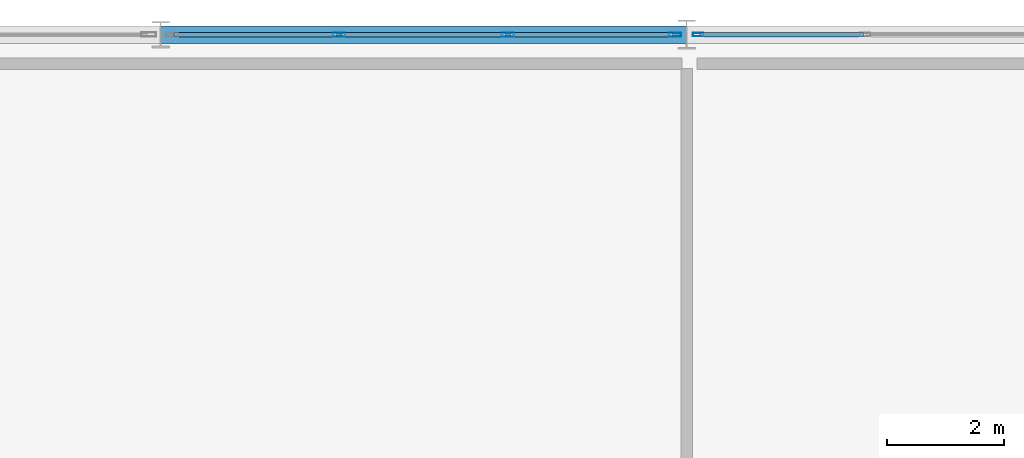
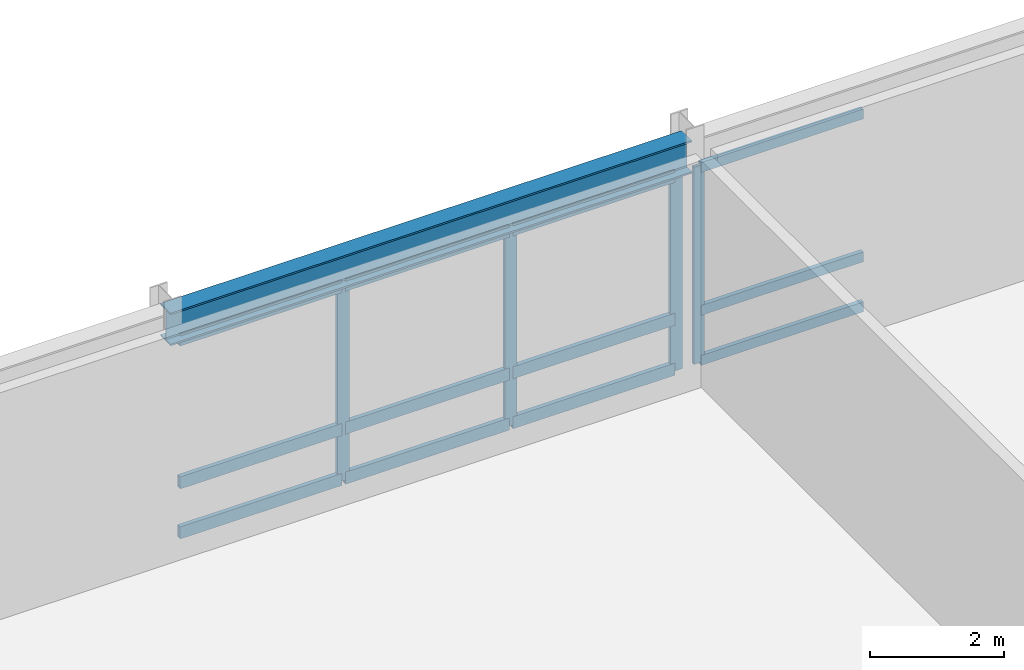
# One storey, part 33 of 67: 16 members, 1 beam, 2 elements without a shape of their own.
"""IFC4 building model written with IfcOpenShell, lengths in metres."""

import ifcopenshell
import ifcopenshell.guid

model = None  # the IFC model being written
_history = None  # IfcOwnerHistory: only IFC2X3 demands one
_inside = {}  # id of a spatial element -> (the spatial element, [elements in it])
_under = {}  # id of a project, library or spatial element -> (it, [spatial elements below it])
_declared = {}  # id of a project -> (the project, [libraries it declares])
_typed = {}  # id of a type object -> (the type object, [elements of that type])
_made_of = {}  # id of a material, layer set ... -> (it, [elements and type objects made of it])


def new_model(schema):
    """Start an empty IFC model of exactly this schema.

    Asked for "IFC4X3", IfcOpenShell would pick the latest addendum, in which some entities
    have other attributes; the version numbers below select the first issue.
    IFC2X3 requires an IfcOwnerHistory on every rooted entity: one is made here for all.
    """
    global model, _history
    if schema == "IFC4X3":
        model = ifcopenshell.file(schema_version=(4, 3, 0, 0))
    else:
        model = ifcopenshell.file(schema=schema)
    _inside.clear()
    _under.clear()
    _declared.clear()
    _typed.clear()
    _made_of.clear()
    _history = None
    if model.schema == "IFC2X3":
        org = make("IfcOrganization", Name="unknown")
        user = make(
            "IfcPersonAndOrganization",
            ThePerson=make("IfcPerson", FamilyName="unknown"),
            TheOrganization=org,
        )
        app = make(
            "IfcApplication",
            ApplicationDeveloper=org,
            Version="unknown",
            ApplicationFullName="unknown",
            ApplicationIdentifier="unknown",
        )
        _history = make(
            "IfcOwnerHistory",
            OwningUser=user,
            OwningApplication=app,
            ChangeAction="ADDED",
            CreationDate=0,
        )
    return model


def make(cls, **values):
    """One entity of the class cls with the attributes given. An attribute that is None is left unset."""
    return model.create_entity(
        cls, **{name: value for name, value in values.items() if value is not None}
    )


def rooted(cls, **values):
    """An entity with a GlobalId (a new one), such as an element, a storey or a relation."""
    return make(cls, GlobalId=ifcopenshell.guid.new(), OwnerHistory=_history, **values)


def si_unit(unit_type, name, prefix=None):
    """IfcSIUnit, for example si_unit("LENGTHUNIT", "METRE", prefix="MILLI")."""
    return make("IfcSIUnit", UnitType=unit_type, Prefix=prefix, Name=name)


def assignment(units):
    """IfcUnitAssignment: the units of a project."""
    return None if units is None else make("IfcUnitAssignment", Units=units)


def point(xyz):
    """IfcCartesianPoint."""
    return None if xyz is None else make("IfcCartesianPoint", Coordinates=xyz)


def direction(xyz):
    """IfcDirection."""
    return None if xyz is None else make("IfcDirection", DirectionRatios=xyz)


def frame(location, z_axis=None, x_axis=None):
    """IfcAxis2Placement3D, a coordinate frame: its origin and axes. An axis left out is left unset."""
    return make(
        "IfcAxis2Placement3D",
        Location=point(location),
        Axis=direction(z_axis),
        RefDirection=direction(x_axis),
    )


def frame_2d(location, x_axis=None):
    """IfcAxis2Placement2D, a coordinate frame in the plane: its origin and x axis."""
    return make(
        "IfcAxis2Placement2D", Location=point(location), RefDirection=direction(x_axis)
    )


def origin():
    """The frame at (0, 0, 0) with its axes left unset."""
    return frame((0.0, 0.0, 0.0))


def origin_2d():
    """The frame at (0, 0) in the plane with its x axis left unset."""
    return frame_2d((0.0, 0.0))


def place(relative_to, where):
    """IfcLocalPlacement: puts the frame where relative to a parent placement (None: the world)."""
    return make(
        "IfcLocalPlacement", PlacementRelTo=relative_to, RelativePlacement=where
    )


def context(
    kind, dimensions, precision=None, world=None, true_north=None, identifier=None
):
    """IfcGeometricRepresentationContext, for example the 3D "Model" context."""
    return make(
        "IfcGeometricRepresentationContext",
        ContextIdentifier=identifier,
        ContextType=kind,
        CoordinateSpaceDimension=dimensions,
        Precision=precision,
        WorldCoordinateSystem=world,
        TrueNorth=true_north,
    )


def subcontext(parent, identifier, kind, view, scale=None):
    """IfcGeometricRepresentationSubContext, for example "Body" below "Model"."""
    return make(
        "IfcGeometricRepresentationSubContext",
        ContextIdentifier=identifier,
        ContextType=kind,
        ParentContext=parent,
        TargetScale=scale,
        TargetView=view,
    )


def project(units=None, contexts=None):
    """IfcProject with its units and contexts."""
    return rooted(
        "IfcProject",
        Name="project",
        RepresentationContexts=contexts,
        UnitsInContext=assignment(units),
    )


def spatial(cls, under=None, at=None, **own):
    """A site, building, storey or space (cls), placed at a placement, below another one or the project."""
    s = rooted(cls, ObjectPlacement=at, **own)
    if under is not None:
        _under.setdefault(under.id(), (under, []))[1].append(s)
    return s


def profile(cls, at=None, kind="AREA", **sizes):
    """A parametric profile (cls). Its sizes go by their IFC names, for example OverallWidth=200.0."""
    return make(cls, ProfileType=kind, Position=at, **sizes)


def hollow_rectangle(**sizes):
    """IfcRectangleHollowProfileDef."""
    return profile("IfcRectangleHollowProfileDef", **sizes)


def i_section(**sizes):
    """IfcIShapeProfileDef."""
    return profile("IfcIShapeProfileDef", **sizes)


def extrude(swept, where, along, depth):
    """IfcExtrudedAreaSolid: the profile swept, set in the frame where, extruded along a direction by depth."""
    return make(
        "IfcExtrudedAreaSolid",
        SweptArea=swept,
        Position=where,
        ExtrudedDirection=direction(along),
        Depth=depth,
    )


def shape(context_of_items, identifier, shape_type, items):
    """IfcShapeRepresentation: the items that make up one representation, for example the "Body"."""
    return make(
        "IfcShapeRepresentation",
        ContextOfItems=context_of_items,
        RepresentationIdentifier=identifier,
        RepresentationType=shape_type,
        Items=items,
    )


def material(Name=None, Category=None):
    """IfcMaterial."""
    return make("IfcMaterial", Name=Name, Category=Category)


def layer(
    of_material, thickness, ventilated=None, Name=None, Category=None, Priority=None
):
    """IfcMaterialLayer: one layer of a wall or slab, of a material (None: an air gap)."""
    return make(
        "IfcMaterialLayer",
        Material=of_material,
        LayerThickness=thickness,
        IsVentilated=ventilated,
        Name=Name,
        Category=Category,
        Priority=Priority,
    )


def layer_set(layers, Name=None):
    """IfcMaterialLayerSet."""
    return make("IfcMaterialLayerSet", MaterialLayers=layers, LayerSetName=Name)


def material_profile(
    of_material, cross_section, Name=None, Category=None, Priority=None
):
    """IfcMaterialProfile: a cross section and its material."""
    return make(
        "IfcMaterialProfile",
        Name=Name,
        Material=of_material,
        Profile=cross_section,
        Priority=Priority,
        Category=Category,
    )


def profile_set(profiles, Name=None, composite=None):
    """IfcMaterialProfileSet."""
    return make(
        "IfcMaterialProfileSet",
        Name=Name,
        MaterialProfiles=profiles,
        CompositeProfile=composite,
    )


def made_of(thing, what):
    """Note that an element or type object is made of a material, layer set ...; save() writes the relation."""
    if what is not None:
        _made_of.setdefault(what.id(), (what, []))[1].append(thing)
    return thing


def type_object(cls, material=None, **own):
    """A type object (cls), such as IfcWallType, which elements share."""
    return made_of(rooted(cls, **own), material)


def element(
    cls,
    number,
    at=None,
    inside=None,
    cuts=None,
    type_object=None,
    material=None,
    context=None,
    identifier="Body",
    shape_type=None,
    held_by="IfcProductDefinitionShape",
    body=None,
    shapes=None,
    **own,
):
    """One element of the class cls, such as IfcWall. Its Tag is "e" and its number.

    at: its placement. inside: the storey or other place that contains it. cuts: it is an
    opening in that element (IfcRelVoidsElement). A single representation is given by context,
    identifier, shape_type and body (its items); several are given by shapes. held_by: the class
    of the entity that holds the representations. save() writes the other relations.
    """
    e = rooted(cls, Tag="e%d" % number, ObjectPlacement=at, **own)
    if body is not None:
        shapes = [shape(context, identifier, shape_type, body)]
    if shapes is not None:
        e.Representation = make(held_by, Representations=shapes)
    if inside is not None:
        _inside.setdefault(inside.id(), (inside, []))[1].append(e)
    if cuts is not None:
        rooted(
            "IfcRelVoidsElement", RelatingBuildingElement=cuts, RelatedOpeningElement=e
        )
    if type_object is not None:
        _typed.setdefault(type_object.id(), (type_object, []))[1].append(e)
    return made_of(e, material)


def aggregate(whole, parts):
    """IfcRelAggregates: a whole, such as a stair, and the parts it consists of."""
    return rooted("IfcRelAggregates", RelatingObject=whole, RelatedObjects=parts)


def save(model, path):
    """Write the relations noted so far, then the file.

    IfcRelAggregates (storeys below a building ...), IfcRelContainedInSpatialStructure (elements
    in a storey), IfcRelDefinesByType, IfcRelAssociatesMaterial and IfcRelDeclares: one each for
    every whole, place, type object, material and project.
    """
    for whole, parts in _under.values():
        aggregate(whole, parts)
    for where, things in _inside.values():
        rooted(
            "IfcRelContainedInSpatialStructure",
            RelatedElements=things,
            RelatingStructure=where,
        )
    for kind, things in _typed.values():
        rooted("IfcRelDefinesByType", RelatedObjects=things, RelatingType=kind)
    for what, things in _made_of.values():
        rooted("IfcRelAssociatesMaterial", RelatedObjects=things, RelatingMaterial=what)
    for by, libraries in _declared.values():
        rooted("IfcRelDeclares", RelatingContext=by, RelatedDefinitions=libraries)
    model.write(path)


model = new_model("IFC4")

# Units and contexts
model_context = context("Model", 3, precision=1e-05, world=origin(), true_north=direction((0.0, 1.0)))
body_context = subcontext(model_context, "Body", "Model", "MODEL_VIEW")
ifc_project = project(units=[si_unit("LENGTHUNIT", "METRE"), si_unit("AREAUNIT", "SQUARE_METRE"), si_unit("VOLUMEUNIT", "CUBIC_METRE"), si_unit("PLANEANGLEUNIT", "RADIAN"), si_unit("MASSUNIT", "GRAM", prefix="KILO")], contexts=[model_context])

# Site, building, storey
site_placement = place(None, origin())
site = spatial("IfcSite", under=ifc_project, at=site_placement, CompositionType="ELEMENT")
building_placement = place(site_placement, origin())
building = spatial("IfcBuilding", under=site, at=building_placement, Name="Montelvaro Courts of Justice", CompositionType="ELEMENT")
storey_placement = place(building_placement, frame((0.0, 0.0, 18.89990234375)))
storey = spatial("IfcBuildingStorey", under=building, at=storey_placement, Name="L04", CompositionType="ELEMENT", Elevation=18.89990234375)

# Beam
ifc_material_1 = material(Name="Steel S355", Category="steel")
ifc_material_profile_1 = material_profile(ifc_material_1, i_section(OverallWidth=0.300048828125, OverallDepth=0.60009765625, WebThickness=0.015380859375, FlangeThickness=0.030029296875, at=origin_2d()), Name="HEB 600")
ifc_profile_set_1 = profile_set([ifc_material_profile_1], Name="Steel S355")
beam_type = type_object("IfcBeamType", Name="Beam_HEB600", PredefinedType="USERDEFINED", material=ifc_profile_set_1)
beam_placement = place(storey_placement, frame((135.0, 96.0, 3.900146484375), z_axis=(1.0, 0.0, 0.0), x_axis=(0.0, 1.0, 0.0)))
element("IfcBeam", 1, at=beam_placement, inside=storey, type_object=beam_type, Name="V2 Roof Eave Girder", ObjectType="GIRDER", PredefinedType="USERDEFINED", context=body_context, shape_type="SweptSolid", body=[
    extrude(i_section(OverallWidth=0.300048828125, OverallDepth=0.60009765625, WebThickness=0.015380859375, FlangeThickness=0.030029296875, at=origin_2d()), origin(), (0.0, 0.0, 1.0), 9.0),
])

# Curtain wall, member
ifc_material_2 = material(Name="Anodised aluminium EN AW-6063", Category="aluminium")
ifc_layer = layer(ifc_material_2, 0.159912109375)
ifc_layer_set = layer_set([ifc_layer], Name="Anodised aluminium EN AW-6063")
curtain_wall_type = type_object("IfcCurtainWallType", Name="CurtainWall_14_867x418", PredefinedType="USERDEFINED", material=ifc_layer_set)
curtain_wall_1_placement = place(storey_placement, origin())
curtain_wall_1 = element("IfcCurtainWall", 2, at=curtain_wall_1_placement, inside=storey, type_object=curtain_wall_type, Name="Curtain Wall CW-14 (L04)", ObjectType="CURTAIN WALL", PredefinedType="USERDEFINED")
ifc_material_profile_2 = material_profile(ifc_material_2, hollow_rectangle(XDim=0.06005859375, YDim=0.179931640625, WallThickness=0.00439453125, at=origin_2d()), Name="ALU-M 60x180")
ifc_profile_set_2 = profile_set([ifc_material_profile_2], Name="Anodised aluminium EN AW-6063")
member_type_1 = type_object("IfcMemberType", Name="CurtainWall_Mullion_60x180", PredefinedType="MULLION", material=ifc_profile_set_2)
member_1_placement = place(storey_placement, frame((144.195068359375, 96.0, 0.0), z_axis=(0.0, 0.0, 1.0), x_axis=(0.0, -1.0, 0.0)))
member_1 = element("IfcMember", 3, at=member_1_placement, type_object=member_type_1, Name="CW-14 mullion 4", PredefinedType="MULLION", context=body_context, shape_type="SweptSolid", body=[
    extrude(hollow_rectangle(XDim=0.06005859375, YDim=0.179931640625, WallThickness=0.00439453125, at=origin_2d()), origin(), (0.0, 0.0, 1.0), 3.59521484375),
])

# Curtain wall, members
curtain_wall_2_placement = place(storey_placement, origin())
curtain_wall_2 = element("IfcCurtainWall", 4, at=curtain_wall_2_placement, inside=storey, type_object=curtain_wall_type, Name="Curtain Wall CW-14 (L04)", ObjectType="CURTAIN WALL", PredefinedType="USERDEFINED")
ifc_material_profile_3 = material_profile(ifc_material_2, hollow_rectangle(XDim=0.06494140625, YDim=0.2099609375, WallThickness=0.0048828125, at=origin_2d()), Name="ALU-M 65x210")
ifc_profile_set_3 = profile_set([ifc_material_profile_3], Name="Anodised aluminium EN AW-6063")
member_type_2 = type_object("IfcMemberType", Name="CurtainWall_Mullion_65x210", PredefinedType="MULLION", material=ifc_profile_set_3)
member_2_placement = place(storey_placement, frame((143.802490234375, 96.0, 0.0), z_axis=(0.0, 0.0, 1.0), x_axis=(0.0, -1.0, 0.0)))
member_2 = element("IfcMember", 5, at=member_2_placement, type_object=member_type_2, Name="CW-14 mullion 1", PredefinedType="MULLION", context=body_context, shape_type="SweptSolid", body=[
    extrude(hollow_rectangle(XDim=0.06494140625, YDim=0.2099609375, WallThickness=0.0048828125, at=origin_2d()), origin(), (0.0, 0.0, 1.0), 3.59521484375),
])
member_3_placement = place(storey_placement, frame((140.945068359375, 96.0, 0.0), z_axis=(0.0, 0.0, 1.0), x_axis=(0.0, -1.0, 0.0)))
member_3 = element("IfcMember", 6, at=member_3_placement, type_object=member_type_2, Name="CW-14 mullion 2", PredefinedType="MULLION", context=body_context, shape_type="SweptSolid", body=[
    extrude(hollow_rectangle(XDim=0.06494140625, YDim=0.2099609375, WallThickness=0.0048828125, at=origin_2d()), origin(), (0.0, 0.0, 1.0), 3.59521484375),
])
member_4_placement = place(storey_placement, frame((138.054931640625, 96.0, 0.0), z_axis=(0.0, 0.0, 1.0), x_axis=(0.0, -1.0, 0.0)))
member_4 = element("IfcMember", 7, at=member_4_placement, type_object=member_type_2, Name="CW-14 mullion 3", PredefinedType="MULLION", context=body_context, shape_type="SweptSolid", body=[
    extrude(hollow_rectangle(XDim=0.06494140625, YDim=0.2099609375, WallThickness=0.0048828125, at=origin_2d()), origin(), (0.0, 0.0, 1.0), 3.59521484375),
])

# Member
ifc_material_profile_4 = material_profile(ifc_material_2, hollow_rectangle(XDim=0.074951171875, YDim=0.179931640625, WallThickness=0.0048828125, at=origin_2d()), Name="ALU-T 75x180")
ifc_profile_set_4 = profile_set([ifc_material_profile_4], Name="Anodised aluminium EN AW-6063")
member_type_3 = type_object("IfcMemberType", Name="CurtainWall_Transom_75x180", PredefinedType="USERDEFINED", material=ifc_profile_set_4)
member_5_placement = place(storey_placement, frame((147.02490234375, 96.0, 0.03759765625), z_axis=(-1.0, 0.0, 0.0), x_axis=(0.0, -1.0, 0.0)))
member_5 = element("IfcMember", 8, at=member_5_placement, type_object=member_type_3, Name="CW-14 transom 3.1", ObjectType="TRANSOM", PredefinedType="USERDEFINED", context=body_context, shape_type="SweptSolid", body=[
    extrude(hollow_rectangle(XDim=0.074951171875, YDim=0.179931640625, WallThickness=0.0048828125, at=origin_2d()), origin(), (0.0, 0.0, 1.0), 2.7998046875),
])

member_6_placement = place(storey_placement, frame((147.02490234375, 96.0, 0.9501953125), z_axis=(-1.0, 0.0, 0.0), x_axis=(0.0, -1.0, 0.0)))
member_6 = element("IfcMember", 9, at=member_6_placement, type_object=member_type_3, Name="CW-14 transom 3.2", ObjectType="TRANSOM", PredefinedType="USERDEFINED", context=body_context, shape_type="SweptSolid", body=[
    extrude(hollow_rectangle(XDim=0.074951171875, YDim=0.179931640625, WallThickness=0.0048828125, at=origin_2d()), origin(), (0.0, 0.0, 1.0), 2.7998046875),
])

member_7_placement = place(storey_placement, frame((147.02490234375, 96.0, 3.5576171875), z_axis=(-1.0, 0.0, 0.0), x_axis=(0.0, -1.0, 0.0)))
member_7 = element("IfcMember", 10, at=member_7_placement, type_object=member_type_3, Name="CW-14 transom 3.3", ObjectType="TRANSOM", PredefinedType="USERDEFINED", context=body_context, shape_type="SweptSolid", body=[
    extrude(hollow_rectangle(XDim=0.074951171875, YDim=0.179931640625, WallThickness=0.0048828125, at=origin_2d()), origin(), (0.0, 0.0, 1.0), 2.7998046875),
])

aggregate(curtain_wall_1, [member_1, member_5, member_6, member_7])

ifc_material_profile_5 = material_profile(ifc_material_2, hollow_rectangle(XDim=0.074951171875, YDim=0.219970703125, WallThickness=0.005615234375, at=origin_2d()), Name="ALU-T 75x220")
ifc_profile_set_5 = profile_set([ifc_material_profile_5], Name="Anodised aluminium EN AW-6063")
member_type_4 = type_object("IfcMemberType", Name="CurtainWall_Transom_75x220", PredefinedType="USERDEFINED", material=ifc_profile_set_5)
member_8_placement = place(storey_placement, frame((143.77001953125, 96.0, 0.03759765625), z_axis=(-1.0, 0.0, 0.0), x_axis=(0.0, -1.0, 0.0)))
member_8 = element("IfcMember", 11, at=member_8_placement, type_object=member_type_4, Name="CW-14 transom 1.1", ObjectType="TRANSOM", PredefinedType="USERDEFINED", context=body_context, shape_type="SweptSolid", body=[
    extrude(hollow_rectangle(XDim=0.074951171875, YDim=0.219970703125, WallThickness=0.005615234375, at=origin_2d()), origin(), (0.0, 0.0, 1.0), 2.79248046875),
])

member_9_placement = place(storey_placement, frame((143.77001953125, 96.0, 0.9501953125), z_axis=(-1.0, 0.0, 0.0), x_axis=(0.0, -1.0, 0.0)))
member_9 = element("IfcMember", 12, at=member_9_placement, type_object=member_type_4, Name="CW-14 transom 1.2", ObjectType="TRANSOM", PredefinedType="USERDEFINED", context=body_context, shape_type="SweptSolid", body=[
    extrude(hollow_rectangle(XDim=0.074951171875, YDim=0.219970703125, WallThickness=0.005615234375, at=origin_2d()), origin(), (0.0, 0.0, 1.0), 2.79248046875),
])

member_10_placement = place(storey_placement, frame((143.77001953125, 96.0, 3.5576171875), z_axis=(-1.0, 0.0, 0.0), x_axis=(0.0, -1.0, 0.0)))
member_10 = element("IfcMember", 13, at=member_10_placement, type_object=member_type_4, Name="CW-14 transom 1.3", ObjectType="TRANSOM", PredefinedType="USERDEFINED", context=body_context, shape_type="SweptSolid", body=[
    extrude(hollow_rectangle(XDim=0.074951171875, YDim=0.219970703125, WallThickness=0.005615234375, at=origin_2d()), origin(), (0.0, 0.0, 1.0), 2.79248046875),
])

member_11_placement = place(storey_placement, frame((140.91259765625, 96.0, 0.03759765625), z_axis=(-1.0, 0.0, 0.0), x_axis=(0.0, -1.0, 0.0)))
member_11 = element("IfcMember", 14, at=member_11_placement, type_object=member_type_4, Name="CW-14 transom 2.1", ObjectType="TRANSOM", PredefinedType="USERDEFINED", context=body_context, shape_type="SweptSolid", body=[
    extrude(hollow_rectangle(XDim=0.074951171875, YDim=0.219970703125, WallThickness=0.005615234375, at=origin_2d()), origin(), (0.0, 0.0, 1.0), 2.8251953125),
])

member_12_placement = place(storey_placement, frame((140.91259765625, 96.0, 0.9501953125), z_axis=(-1.0, 0.0, 0.0), x_axis=(0.0, -1.0, 0.0)))
member_12 = element("IfcMember", 15, at=member_12_placement, type_object=member_type_4, Name="CW-14 transom 2.2", ObjectType="TRANSOM", PredefinedType="USERDEFINED", context=body_context, shape_type="SweptSolid", body=[
    extrude(hollow_rectangle(XDim=0.074951171875, YDim=0.219970703125, WallThickness=0.005615234375, at=origin_2d()), origin(), (0.0, 0.0, 1.0), 2.8251953125),
])

member_13_placement = place(storey_placement, frame((140.91259765625, 96.0, 3.5576171875), z_axis=(-1.0, 0.0, 0.0), x_axis=(0.0, -1.0, 0.0)))
member_13 = element("IfcMember", 16, at=member_13_placement, type_object=member_type_4, Name="CW-14 transom 2.3", ObjectType="TRANSOM", PredefinedType="USERDEFINED", context=body_context, shape_type="SweptSolid", body=[
    extrude(hollow_rectangle(XDim=0.074951171875, YDim=0.219970703125, WallThickness=0.005615234375, at=origin_2d()), origin(), (0.0, 0.0, 1.0), 2.8251953125),
])

member_14_placement = place(storey_placement, frame((138.0224609375, 96.0, 0.03759765625), z_axis=(-1.0, 0.0, 0.0), x_axis=(0.0, -1.0, 0.0)))
member_14 = element("IfcMember", 17, at=member_14_placement, type_object=member_type_4, Name="CW-14 transom 3.1", ObjectType="TRANSOM", PredefinedType="USERDEFINED", context=body_context, shape_type="SweptSolid", body=[
    extrude(hollow_rectangle(XDim=0.074951171875, YDim=0.219970703125, WallThickness=0.005615234375, at=origin_2d()), origin(), (0.0, 0.0, 1.0), 2.79248046875),
])

member_15_placement = place(storey_placement, frame((138.0224609375, 96.0, 0.9501953125), z_axis=(-1.0, 0.0, 0.0), x_axis=(0.0, -1.0, 0.0)))
member_15 = element("IfcMember", 18, at=member_15_placement, type_object=member_type_4, Name="CW-14 transom 3.2", ObjectType="TRANSOM", PredefinedType="USERDEFINED", context=body_context, shape_type="SweptSolid", body=[
    extrude(hollow_rectangle(XDim=0.074951171875, YDim=0.219970703125, WallThickness=0.005615234375, at=origin_2d()), origin(), (0.0, 0.0, 1.0), 2.79248046875),
])

member_16_placement = place(storey_placement, frame((138.0224609375, 96.0, 3.5576171875), z_axis=(-1.0, 0.0, 0.0), x_axis=(0.0, -1.0, 0.0)))
member_16 = element("IfcMember", 19, at=member_16_placement, type_object=member_type_4, Name="CW-14 transom 3.3", ObjectType="TRANSOM", PredefinedType="USERDEFINED", context=body_context, shape_type="SweptSolid", body=[
    extrude(hollow_rectangle(XDim=0.074951171875, YDim=0.219970703125, WallThickness=0.005615234375, at=origin_2d()), origin(), (0.0, 0.0, 1.0), 2.79248046875),
])

aggregate(curtain_wall_2, [member_2, member_3, member_4, member_8, member_9, member_10, member_11, member_12, member_13, member_14, member_15, member_16])

save(model, "model.ifc")
